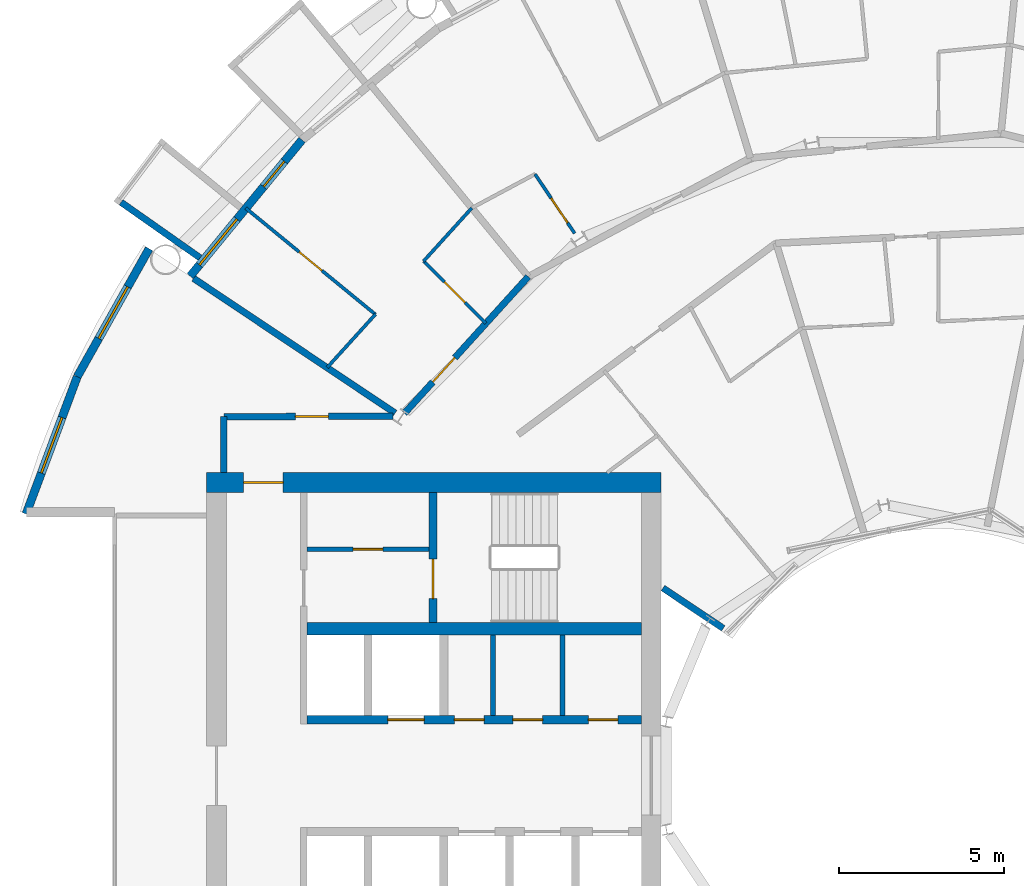
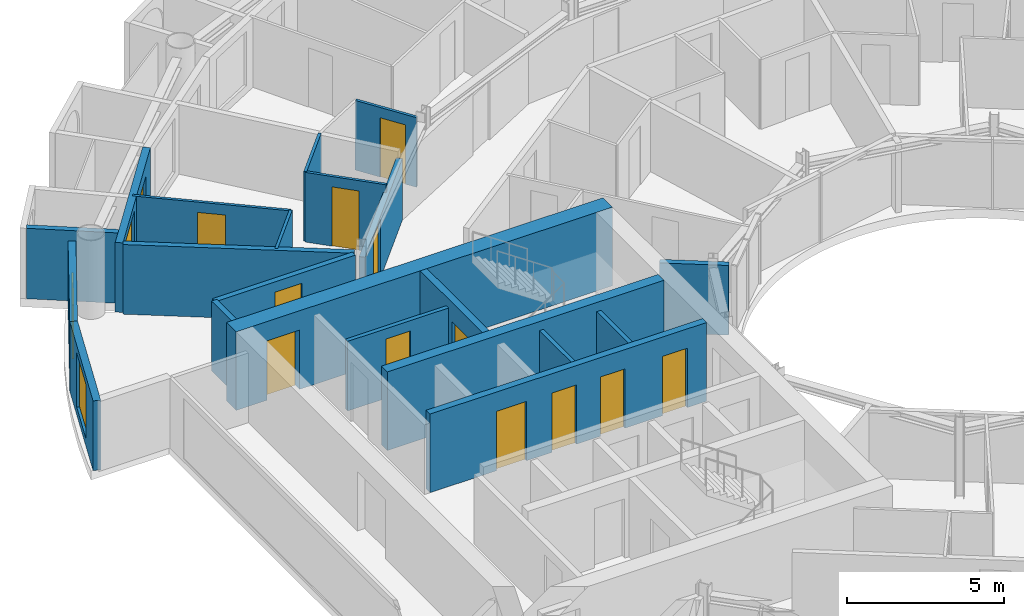
# One storey, part 19 of 27: 21 walls, 13 doors, 3 windows, 16 openings.
"""IFC4 building model written with IfcOpenShell, lengths in metres."""

from ifc_helpers import new_model, si_unit, direction, frame, frame_2d, origin, place, context, subcontext, project, spatial, rectangle, extrude, material, layer, layer_set, type_object, element, fill, save


model = new_model("IFC4")

# Units and contexts
model_context = context("Model", 3, precision=1e-05, world=origin(), true_north=direction((0.0, 1.0)))
body_context = subcontext(model_context, "Body", "Model", "MODEL_VIEW")
ifc_project = project(units=[si_unit("LENGTHUNIT", "METRE"), si_unit("AREAUNIT", "SQUARE_METRE"), si_unit("VOLUMEUNIT", "CUBIC_METRE"), si_unit("PLANEANGLEUNIT", "RADIAN"), si_unit("MASSUNIT", "GRAM", prefix="KILO")], contexts=[model_context])

# Site, building, storey
site_placement = place(None, origin())
site = spatial("IfcSite", under=ifc_project, at=site_placement, CompositionType="ELEMENT")
building_placement = place(site_placement, origin())
building = spatial("IfcBuilding", under=site, at=building_placement, Name="Maasbend Ring Residences", CompositionType="ELEMENT")
storey_placement = place(building_placement, frame((0.0, 0.0, 126.89990234375)))
storey = spatial("IfcBuildingStorey", under=building, at=storey_placement, Name="L36", CompositionType="ELEMENT", Elevation=126.89990234375)

# Wall, openings, doors
ifc_material_1 = material(Name="Concrete C60/75", Category="concrete")
ifc_layer_1 = layer(ifc_material_1, 0.25)
ifc_layer_set_1 = layer_set([ifc_layer_1], Name="Concrete C60/75")
wall_type_1 = type_object("IfcWallType", Name="CORE WALL 250 C60/75", PredefinedType="SHEAR", material=ifc_layer_set_1)
wall_1_placement = place(storey_placement, frame((-19.14990234375, 1.699951171875, 0.0), z_axis=(0.0, 0.0, 1.0), x_axis=(1.0, 0.0, 0.0)))
wall_1 = element("IfcWall", 1, at=wall_1_placement, inside=storey, type_object=wall_type_1, Name="L36 core W wall SPS", PredefinedType="SHEAR", context=body_context, shape_type="SweptSolid", body=[
    extrude(rectangle(XDim=10.14990234375, YDim=0.25, at=frame_2d((5.074951171875, 0.0))), origin(), (0.0, 0.0, 1.0), 3.050048828125),
])
opening_1_placement = place(wall_1_placement, frame((2.449951171875, 0.0, 0.0)))
opening_1 = element("IfcOpeningElement", 2, at=opening_1_placement, cuts=wall_1, Name="Opening LD-W3605", PredefinedType="OPENING", context=body_context, shape_type="SweptSolid", body=[
    extrude(rectangle(XDim=1.10009765625, YDim=2.300048828125, at=frame_2d((0.550048828125, 1.14990234375))), frame((0.0, 0.135009765625, 0.0), z_axis=(0.0, -1.0, 0.0), x_axis=(1.0, 0.0, 0.0)), (0.0, 0.0, 1.0), 0.27001953125),
])
opening_2_placement = place(wall_1_placement, frame((8.53759765625, 0.0, 0.0)))
opening_2 = element("IfcOpeningElement", 3, at=opening_2_placement, cuts=wall_1, Name="Opening D-W3606", PredefinedType="OPENING", context=body_context, shape_type="SweptSolid", body=[
    extrude(rectangle(XDim=0.89990234375, YDim=2.300048828125, at=frame_2d((0.449951171875, 1.14990234375))), frame((0.0, 0.135009765625, 0.0), z_axis=(0.0, -1.0, 0.0), x_axis=(1.0, 0.0, 0.0)), (0.0, 0.0, 1.0), 0.27001953125),
])
opening_3_placement = place(wall_1_placement, frame((6.25, 0.0, 0.0)))
opening_3 = element("IfcOpeningElement", 4, at=opening_3_placement, cuts=wall_1, Name="Opening D-W3607", PredefinedType="OPENING", context=body_context, shape_type="SweptSolid", body=[
    extrude(rectangle(XDim=0.89990234375, YDim=2.300048828125, at=frame_2d((0.449951171875, 1.14990234375))), frame((0.0, 0.135009765625, 0.0), z_axis=(0.0, -1.0, 0.0), x_axis=(1.0, 0.0, 0.0)), (0.0, 0.0, 1.0), 0.27001953125),
])
opening_4_placement = place(wall_1_placement, frame((4.47509765625, 0.0, 0.0)))
opening_4 = element("IfcOpeningElement", 5, at=opening_4_placement, cuts=wall_1, Name="Opening D-W3608", PredefinedType="OPENING", context=body_context, shape_type="SweptSolid", body=[
    extrude(rectangle(XDim=0.89990234375, YDim=2.300048828125, at=frame_2d((0.449951171875, 1.14990234375))), frame((0.0, 0.135009765625, 0.0), z_axis=(0.0, -1.0, 0.0), x_axis=(1.0, 0.0, 0.0)), (0.0, 0.0, 1.0), 0.27001953125),
])
ifc_material_2 = material(Name="Stainless steel 316", Category="steel")
door_type_1 = type_object("IfcDoorType", Name="LANDING DOOR 1100 X 2300 FD60", OperationType="DOUBLE_DOOR_SLIDING", PredefinedType="DOOR", material=ifc_material_2)
door_1_placement = place(opening_1_placement, origin())
door_1 = element("IfcDoor", 6, at=door_1_placement, inside=storey, type_object=door_type_1, Name="Landing door SV-W L36", OperationType="DOUBLE_DOOR_SLIDING", OverallHeight=2.300048828125, OverallWidth=1.10009765625, PredefinedType="DOOR", context=body_context, shape_type="SweptSolid", body=[
    extrude(rectangle(XDim=1.10009765625, YDim=2.300048828125, at=frame_2d((0.550048828125, 1.14990234375))), frame((0.0, 0.02490234375, 0.0), z_axis=(0.0, -1.0, 0.0), x_axis=(1.0, 0.0, 0.0)), (0.0, 0.0, 1.0), 0.050048828125),
])
fill(opening_1, door_1)
ifc_material_3 = material(Name="Steel, powder coated", Category="steel")
door_type_2 = type_object("IfcDoorType", Name="ROOM DOOR 900 X 2300 FD30S", OperationType="NOTDEFINED", PredefinedType="DOOR", material=ifc_material_3)
door_2_placement = place(opening_2_placement, origin())
door_2 = element("IfcDoor", 7, at=door_2_placement, inside=storey, type_object=door_type_2, Name="Room door L36", OperationType="SINGLE_SWING_LEFT", OverallHeight=2.300048828125, OverallWidth=0.89990234375, PredefinedType="DOOR", context=body_context, shape_type="SweptSolid", body=[
    extrude(rectangle(XDim=0.89990234375, YDim=2.300048828125, at=frame_2d((0.449951171875, 1.14990234375))), frame((0.0, 0.02490234375, 0.0), z_axis=(0.0, -1.0, 0.0), x_axis=(1.0, 0.0, 0.0)), (0.0, 0.0, 1.0), 0.050048828125),
])
fill(opening_2, door_2)
door_3_placement = place(opening_3_placement, origin())
door_3 = element("IfcDoor", 8, at=door_3_placement, inside=storey, type_object=door_type_2, Name="Room door L36", OperationType="SINGLE_SWING_LEFT", OverallHeight=2.300048828125, OverallWidth=0.89990234375, PredefinedType="DOOR", context=body_context, shape_type="SweptSolid", body=[
    extrude(rectangle(XDim=0.89990234375, YDim=2.300048828125, at=frame_2d((0.449951171875, 1.14990234375))), frame((0.0, 0.02490234375, 0.0), z_axis=(0.0, -1.0, 0.0), x_axis=(1.0, 0.0, 0.0)), (0.0, 0.0, 1.0), 0.050048828125),
])
fill(opening_3, door_3)
door_4_placement = place(opening_4_placement, origin())
door_4 = element("IfcDoor", 9, at=door_4_placement, inside=storey, type_object=door_type_2, Name="Room door L36", OperationType="SINGLE_SWING_RIGHT", OverallHeight=2.300048828125, OverallWidth=0.89990234375, PredefinedType="DOOR", context=body_context, shape_type="SweptSolid", body=[
    extrude(rectangle(XDim=0.89990234375, YDim=2.300048828125, at=frame_2d((0.449951171875, 1.14990234375))), frame((0.0, 0.02490234375, 0.0), z_axis=(0.0, -1.0, 0.0), x_axis=(1.0, 0.0, 0.0)), (0.0, 0.0, 1.0), 0.050048828125),
])
fill(opening_4, door_4)

# Wall, opening, door
wall_2_placement = place(storey_placement, frame((-15.324951171875, 8.60009765625, 0.0), z_axis=(0.0, 0.0, 1.0), x_axis=(0.0, -1.0, 0.0)))
wall_2 = element("IfcWall", 10, at=wall_2_placement, inside=storey, type_object=wall_type_1, Name="L36 core W wall STES", PredefinedType="SHEAR", context=body_context, shape_type="SweptSolid", body=[
    extrude(rectangle(XDim=3.9501953125, YDim=0.25, at=frame_2d((1.97509765625, 0.0))), origin(), (0.0, 0.0, 1.0), 3.050048828125),
])
opening_5_placement = place(wall_2_placement, frame((2.02490234375, 0.0, 0.0)))
opening_5 = element("IfcOpeningElement", 11, at=opening_5_placement, cuts=wall_2, Name="Opening D-W3611", PredefinedType="OPENING", context=body_context, shape_type="SweptSolid", body=[
    extrude(rectangle(XDim=1.199951171875, YDim=2.300048828125, at=frame_2d((0.60009765625, 1.14990234375))), frame((0.0, 0.135009765625, 0.0), z_axis=(0.0, -1.0, 0.0), x_axis=(1.0, 0.0, 0.0)), (0.0, 0.0, 1.0), 0.27001953125),
])
ifc_material_4 = material(Name="Steel, powder coated", Category="steel")
door_type_3 = type_object("IfcDoorType", Name="STAIR DOOR 1200 X 2300 FD60", OperationType="NOTDEFINED", PredefinedType="DOOR", material=ifc_material_4)
door_5_placement = place(opening_5_placement, origin())
door_5 = element("IfcDoor", 12, at=door_5_placement, inside=storey, type_object=door_type_3, Name="Stair door ST-W L36", OperationType="SINGLE_SWING_LEFT", OverallHeight=2.300048828125, OverallWidth=1.199951171875, PredefinedType="DOOR", context=body_context, shape_type="SweptSolid", body=[
    extrude(rectangle(XDim=1.199951171875, YDim=2.300048828125, at=frame_2d((0.60009765625, 1.14990234375))), frame((0.0, 0.02490234375, 0.0), z_axis=(0.0, -1.0, 0.0), x_axis=(1.0, 0.0, 0.0)), (0.0, 0.0, 1.0), 0.050048828125),
])
fill(opening_5, door_5)

# Wall
ifc_material_5 = material(Name="Concrete C60/75", Category="concrete")
ifc_layer_2 = layer(ifc_material_5, 0.375)
ifc_layer_set_2 = layer_set([ifc_layer_2], Name="Concrete C60/75")
wall_type_2 = type_object("IfcWallType", Name="CORE WALL 375 C60/75", PredefinedType="SHEAR", material=ifc_layer_set_2)
wall_3_placement = place(storey_placement, frame((-9.0, 4.46240234375, 0.0), z_axis=(0.0, 0.0, 1.0), x_axis=(-1.0, 0.0, 0.0)))
element("IfcWall", 13, at=wall_3_placement, inside=storey, type_object=wall_type_2, Name="L36 core W wall BS", PredefinedType="SHEAR", context=body_context, shape_type="SweptSolid", body=[
    extrude(rectangle(XDim=10.14990234375, YDim=0.375, at=frame_2d((5.074951171875, 0.0))), origin(), (0.0, 0.0, 1.0), 3.050048828125),
])

# Wall, opening, door
ifc_material_6 = material(Name="Concrete C60/75", Category="concrete")
ifc_layer_3 = layer(ifc_material_6, 0.60009765625)
ifc_layer_set_3 = layer_set([ifc_layer_3], Name="Concrete C60/75")
wall_type_3 = type_object("IfcWallType", Name="CORE WALL 600 C60/75", PredefinedType="SHEAR", material=ifc_layer_set_3)
wall_4_placement = place(storey_placement, frame((-8.39990234375, 8.89990234375, 0.0), z_axis=(0.0, 0.0, 1.0), x_axis=(-1.0, 0.0, 0.0)))
wall_4 = element("IfcWall", 14, at=wall_4_placement, inside=storey, type_object=wall_type_3, Name="L36 core W wall PS", PredefinedType="SHEAR", context=body_context, shape_type="SweptSolid", body=[
    extrude(rectangle(XDim=13.800048828125, YDim=0.60009765625, at=frame_2d((6.89990234375, 0.0))), origin(), (0.0, 0.0, 1.0), 3.050048828125),
])
opening_6_placement = place(wall_4_placement, frame((11.47509765625, 0.0, 0.0)))
opening_6 = element("IfcOpeningElement", 15, at=opening_6_placement, cuts=wall_4, Name="Opening D-W3615", PredefinedType="OPENING", context=body_context, shape_type="SweptSolid", body=[
    extrude(rectangle(XDim=1.199951171875, YDim=2.300048828125, at=frame_2d((0.60009765625, 1.14990234375))), frame((0.0, 0.31005859375, 0.0), z_axis=(0.0, -1.0, 0.0), x_axis=(1.0, 0.0, 0.0)), (0.0, 0.0, 1.0), 0.6201171875),
])
ifc_material_7 = material(Name="Steel, powder coated", Category="steel")
door_type_4 = type_object("IfcDoorType", Name="CORRIDOR DOOR 1200 X 2300 FD30S", OperationType="NOTDEFINED", PredefinedType="DOOR", material=ifc_material_7)
door_6_placement = place(opening_6_placement, origin())
door_6 = element("IfcDoor", 16, at=door_6_placement, inside=storey, type_object=door_type_4, Name="Corridor door L36", OperationType="SINGLE_SWING_LEFT", OverallHeight=2.300048828125, OverallWidth=1.199951171875, PredefinedType="DOOR", context=body_context, shape_type="SweptSolid", body=[
    extrude(rectangle(XDim=1.199951171875, YDim=2.300048828125, at=frame_2d((0.60009765625, 1.14990234375))), frame((0.0, 0.02490234375, 0.0), z_axis=(0.0, -1.0, 0.0), x_axis=(1.0, 0.0, 0.0)), (0.0, 0.0, 1.0), 0.050048828125),
])
fill(opening_6, door_6)

ifc_material_8 = material(Name="Concrete C30/37", Category="concrete")
ifc_layer_4 = layer(ifc_material_8, 0.199951171875)
ifc_layer_set_4 = layer_set([ifc_layer_4], Name="Concrete C30/37")
wall_type_4 = type_object("IfcWallType", Name="CORRIDOR WALL 200 CONCRETE", PredefinedType="PARTITIONING", material=ifc_layer_set_4)
wall_5_placement = place(storey_placement, frame((-21.675048828125, 10.89990234375, 0.0), z_axis=(0.0, 0.0, 1.0), x_axis=(0.999997173357, 0.002377662213, 0.0)))
wall_5 = element("IfcWall", 17, at=wall_5_placement, inside=storey, type_object=wall_type_4, Name="U-L36-w098", PredefinedType="PARTITIONING", context=body_context, shape_type="SweptSolid", body=[
    extrude(rectangle(XDim=5.134033203125, YDim=0.199951171875, at=frame_2d((2.56689453125, 0.0))), origin(), (0.0, 0.0, 1.0), 2.7001953125),
])
opening_7_placement = place(wall_5_placement, frame((2.1708984375, 0.0, 0.0)))
opening_7 = element("IfcOpeningElement", 18, at=opening_7_placement, cuts=wall_5, Name="Opening D-3664", PredefinedType="OPENING", context=body_context, shape_type="SweptSolid", body=[
    extrude(rectangle(XDim=1.0, YDim=2.300048828125, at=frame_2d((0.5, 1.14990234375))), frame((0.0, 0.10986328125, 0.0), z_axis=(0.0, -1.0, 0.0), x_axis=(1.0, 0.0, 0.0)), (0.0, 0.0, 1.0), 0.219970703125),
])
ifc_material_9 = material(Name="Timber, painted", Category="wood")
door_type_5 = type_object("IfcDoorType", Name="ROOM DOOR 1000 X 2300", OperationType="NOTDEFINED", PredefinedType="DOOR", material=ifc_material_9)
door_7_placement = place(opening_7_placement, origin())
door_7 = element("IfcDoor", 19, at=door_7_placement, inside=storey, type_object=door_type_5, Name="D-3664", OperationType="SINGLE_SWING_RIGHT", OverallHeight=2.300048828125, OverallWidth=1.0, PredefinedType="DOOR", context=body_context, shape_type="SweptSolid", body=[
    extrude(rectangle(XDim=1.0, YDim=2.300048828125, at=frame_2d((0.5, 1.14990234375))), frame((0.0, 0.02490234375, 0.0), z_axis=(0.0, -1.0, 0.0), x_axis=(1.0, 0.0, 0.0)), (0.0, 0.0, 1.0), 0.050048828125),
])
fill(opening_7, door_7)

wall_6_placement = place(storey_placement, frame((-16.19189453125, 11.00390625, 0.0), z_axis=(0.0, 0.0, 1.0), x_axis=(0.671481997275, 0.741020868354, 0.0)))
wall_6 = element("IfcWall", 20, at=wall_6_placement, inside=storey, type_object=wall_type_4, Name="U-L36-w111", PredefinedType="PARTITIONING", context=body_context, shape_type="SweptSolid", body=[
    extrude(rectangle(XDim=5.59619140625, YDim=0.199951171875, at=frame_2d((2.798095703125, 0.0))), origin(), (0.0, 0.0, 1.0), 2.39013671875),
])
opening_8_placement = place(wall_6_placement, frame((1.277099609375, 0.0, 0.0)))
opening_8 = element("IfcOpeningElement", 21, at=opening_8_placement, cuts=wall_6, Name="Opening D-3618", PredefinedType="OPENING", context=body_context, shape_type="SweptSolid", body=[
    extrude(rectangle(XDim=1.0, YDim=2.300048828125, at=frame_2d((0.5, 1.14990234375))), frame((0.0, 0.10986328125, 0.0), z_axis=(0.0, -1.0, 0.0), x_axis=(1.0, 0.0, 0.0)), (0.0, 0.0, 1.0), 0.219970703125),
])
ifc_material_10 = material(Name="Timber, fire-rated, painted", Category="wood")
door_type_6 = type_object("IfcDoorType", Name="FLAT ENTRANCE DOOR 1000 X 2300 FIRE-RATED", OperationType="NOTDEFINED", PredefinedType="DOOR", material=ifc_material_10)
door_8_placement = place(opening_8_placement, origin())
door_8 = element("IfcDoor", 22, at=door_8_placement, inside=storey, type_object=door_type_6, Name="D-3618", OperationType="SINGLE_SWING_LEFT", OverallHeight=2.300048828125, OverallWidth=1.0, PredefinedType="DOOR", context=body_context, shape_type="SweptSolid", body=[
    extrude(rectangle(XDim=1.0, YDim=2.300048828125, at=frame_2d((0.5, 1.14990234375))), frame((0.0, 0.02490234375, 0.0), z_axis=(0.0, -1.0, 0.0), x_axis=(1.0, 0.0, 0.0)), (0.0, 0.0, 1.0), 0.050048828125),
])
fill(opening_8, door_8)

# Walls
wall_7_placement = place(storey_placement, frame((-21.675048828125, 9.199951171875, 0.0), z_axis=(0.0, 0.0, 1.0), x_axis=(0.0, 1.0, 0.0)))
element("IfcWall", 23, at=wall_7_placement, inside=storey, type_object=wall_type_4, Name="U-L36-w118", PredefinedType="PARTITIONING", context=body_context, shape_type="SweptSolid", body=[
    extrude(rectangle(XDim=1.699951171875, YDim=0.199951171875, at=frame_2d((0.85009765625, 0.0))), origin(), (0.0, 0.0, 1.0), 2.7001953125),
])
ifc_material_11 = material(Name="Pale anodised aluminium panel", Category="aluminium")
ifc_layer_5 = layer(ifc_material_11, 0.199951171875)
ifc_layer_set_5 = layer_set([ifc_layer_5], Name="EW-BOX")
wall_type_5 = type_object("IfcWallType", Name="EW-BOX", PredefinedType="SOLIDWALL", material=ifc_layer_set_5)
wall_8_placement = place(storey_placement, frame((-22.402099609375, 15.72607421875, -0.02978515625), z_axis=(0.0, 0.0, 1.0), x_axis=(-0.818275399393, 0.574826383135, 0.0)))
element("IfcWall", 24, at=wall_8_placement, inside=storey, type_object=wall_type_5, Name="Box side wall N20 right", PredefinedType="SOLIDWALL", context=body_context, shape_type="SweptSolid", body=[
    extrude(rectangle(XDim=2.92919921875, YDim=0.199951171875, at=frame_2d((1.464599609375, 0.0))), origin(), (0.0, 0.0, 1.0), 2.72998046875),
])

# Wall, openings, door, window
ifc_material_12 = material(Name="Aluminium clad insulated panel", Category="aluminium")
ifc_layer_6 = layer(ifc_material_12, 0.25)
ifc_layer_set_6 = layer_set([ifc_layer_6], Name="EW-GL")
wall_type_6 = type_object("IfcWallType", Name="EW-GL", PredefinedType="SOLIDWALL", material=ifc_layer_set_6)
wall_9_placement = place(storey_placement, frame((-19.303955078125, 19.303955078125, 0.0), z_axis=(0.0, 0.0, 1.0), x_axis=(-0.634382322723, -0.773019449054, 0.0)))
wall_9 = element("IfcWall", 25, at=wall_9_placement, inside=storey, type_object=wall_type_6, Name="External wall N10", PredefinedType="SOLIDWALL", context=body_context, shape_type="SweptSolid", body=[
    extrude(rectangle(XDim=5.351806640625, YDim=0.25, at=frame_2d((2.67578125, 0.0))), origin(), (0.0, 0.0, 1.0), 2.7001953125),
])
opening_9_placement = place(wall_9_placement, frame((0.841064453125, 0.0, 0.0)))
opening_9 = element("IfcOpeningElement", 26, at=opening_9_placement, cuts=wall_9, Name="Opening D-LG", PredefinedType="OPENING", context=body_context, shape_type="SweptSolid", body=[
    extrude(rectangle(XDim=1.0, YDim=2.199951171875, at=frame_2d((0.5, 1.10009765625))), frame((0.0, 0.135009765625, 0.0), z_axis=(0.0, -1.0, 0.0), x_axis=(1.0, 0.0, 0.0)), (0.0, 0.0, 1.0), 0.27001953125),
])
opening_10_placement = place(wall_9_placement, frame((3.110595703125, 0.0, 0.300048828125)))
opening_10 = element("IfcOpeningElement", 27, at=opening_10_placement, cuts=wall_9, Name="Opening W-BX", PredefinedType="OPENING", context=body_context, shape_type="SweptSolid", body=[
    extrude(rectangle(XDim=1.800048828125, YDim=2.10009765625, at=frame_2d((0.89990234375, 1.050048828125))), frame((0.0, 0.135009765625, 0.0), z_axis=(0.0, -1.0, 0.0), x_axis=(1.0, 0.0, 0.0)), (0.0, 0.0, 1.0), 0.27001953125),
])
ifc_material_13 = material(Name="Aluminium and clear glass", Category="aluminium")
door_type_7 = type_object("IfcDoorType", Name="D-LG", OperationType="SINGLE_SWING_LEFT", PredefinedType="DOOR", material=ifc_material_13)
door_9_placement = place(opening_9_placement, origin())
door_9 = element("IfcDoor", 28, at=door_9_placement, inside=storey, type_object=door_type_7, Name="Loggia door N19", OperationType="SINGLE_SWING_LEFT", OverallHeight=2.199951171875, OverallWidth=1.0, PredefinedType="DOOR", context=body_context, shape_type="SweptSolid", body=[
    extrude(rectangle(XDim=1.0, YDim=2.199951171875, at=frame_2d((0.5, 1.10009765625))), frame((0.0, 0.02490234375, 0.0), z_axis=(0.0, -1.0, 0.0), x_axis=(1.0, 0.0, 0.0)), (0.0, 0.0, 1.0), 0.050048828125),
])
fill(opening_9, door_9)
ifc_material_14 = material(Name="Aluminium and clear glass", Category="aluminium")
window_type = type_object("IfcWindowType", Name="W-BX", PartitioningType="DOUBLE_PANEL_VERTICAL", PredefinedType="WINDOW", material=ifc_material_14)
window_1_placement = place(opening_10_placement, origin())
window_1 = element("IfcWindow", 29, at=window_1_placement, inside=storey, type_object=window_type, Name="Window N20 room to box", OverallHeight=2.10009765625, OverallWidth=1.800048828125, PartitioningType="SINGLE_PANEL", PredefinedType="WINDOW", context=body_context, shape_type="SweptSolid", body=[
    extrude(rectangle(XDim=1.800048828125, YDim=2.10009765625, at=frame_2d((0.89990234375, 1.050048828125))), frame((0.0, 0.030029296875, 0.0), z_axis=(0.0, -1.0, 0.0), x_axis=(1.0, 0.0, 0.0)), (0.0, 0.0, 1.0), 0.06005859375),
])
fill(opening_10, window_1)

# Wall, opening, window
ifc_material_15 = material(Name="Aluminium clad insulated panel", Category="aluminium")
ifc_layer_7 = layer(ifc_material_15, 0.25)
ifc_layer_set_7 = layer_set([ifc_layer_7], Name="EW-HORN")
wall_type_7 = type_object("IfcWallType", Name="EW-HORN", PredefinedType="SOLIDWALL", material=ifc_layer_set_7)
wall_10_placement = place(storey_placement, frame((-23.946044921875, 16.0, 0.0), z_axis=(0.0, 0.0, 1.0), x_axis=(-0.489696356642, -0.871893042919, 0.0)))
wall_10 = element("IfcWall", 30, at=wall_10_placement, inside=storey, type_object=wall_type_7, Name="Horn wall 4.1", PredefinedType="SOLIDWALL", context=body_context, shape_type="SweptSolid", body=[
    extrude(rectangle(XDim=4.45361328125, YDim=0.25, at=frame_2d((2.226806640625, 0.0))), origin(), (0.0, 0.0, 1.0), 2.7001953125),
])
opening_11_placement = place(wall_10_placement, frame((1.32666015625, 0.0, 0.300048828125)))
opening_11 = element("IfcOpeningElement", 31, at=opening_11_placement, cuts=wall_10, Name="Opening W-BX", PredefinedType="OPENING", context=body_context, shape_type="SweptSolid", body=[
    extrude(rectangle(XDim=1.800048828125, YDim=2.10009765625, at=frame_2d((0.89990234375, 1.050048828125))), frame((0.0, 0.135009765625, 0.0), z_axis=(0.0, -1.0, 0.0), x_axis=(1.0, 0.0, 0.0)), (0.0, 0.0, 1.0), 0.27001953125),
])
window_2_placement = place(opening_11_placement, origin())
window_2 = element("IfcWindow", 32, at=window_2_placement, inside=storey, type_object=window_type, Name="Horn window 4.1", OverallHeight=2.10009765625, OverallWidth=1.800048828125, PartitioningType="SINGLE_PANEL", PredefinedType="WINDOW", context=body_context, shape_type="SweptSolid", body=[
    extrude(rectangle(XDim=1.800048828125, YDim=2.10009765625, at=frame_2d((0.89990234375, 1.050048828125))), frame((0.0, 0.030029296875, 0.0), z_axis=(0.0, -1.0, 0.0), x_axis=(1.0, 0.0, 0.0)), (0.0, 0.0, 1.0), 0.06005859375),
])
fill(opening_11, window_2)

wall_11_placement = place(storey_placement, frame((-26.126953125, 12.116943359375, 0.0), z_axis=(0.0, 0.0, 1.0), x_axis=(-0.349247811493, -0.937030397675, 0.0)))
wall_11 = element("IfcWall", 33, at=wall_11_placement, inside=storey, type_object=wall_type_7, Name="Horn wall 4.2", PredefinedType="SOLIDWALL", context=body_context, shape_type="SweptSolid", body=[
    extrude(rectangle(XDim=4.4521484375, YDim=0.25, at=frame_2d((2.22607421875, 0.0))), origin(), (0.0, 0.0, 1.0), 2.7001953125),
])
opening_12_placement = place(wall_11_placement, frame((1.32666015625, 0.0, 0.300048828125)))
opening_12 = element("IfcOpeningElement", 34, at=opening_12_placement, cuts=wall_11, Name="Opening W-BX", PredefinedType="OPENING", context=body_context, shape_type="SweptSolid", body=[
    extrude(rectangle(XDim=1.800048828125, YDim=2.10009765625, at=frame_2d((0.89990234375, 1.050048828125))), frame((0.0, 0.135009765625, 0.0), z_axis=(0.0, -1.0, 0.0), x_axis=(1.0, 0.0, 0.0)), (0.0, 0.0, 1.0), 0.27001953125),
])
window_3_placement = place(opening_12_placement, origin())
window_3 = element("IfcWindow", 35, at=window_3_placement, inside=storey, type_object=window_type, Name="Horn window 4.2", OverallHeight=2.10009765625, OverallWidth=1.800048828125, PartitioningType="SINGLE_PANEL", PredefinedType="WINDOW", context=body_context, shape_type="SweptSolid", body=[
    extrude(rectangle(XDim=1.800048828125, YDim=2.10009765625, at=frame_2d((0.89990234375, 1.050048828125))), frame((0.0, 0.030029296875, 0.0), z_axis=(0.0, -1.0, 0.0), x_axis=(1.0, 0.0, 0.0)), (0.0, 0.0, 1.0), 0.06005859375),
])
fill(opening_12, window_3)

# Wall, opening, door
ifc_material_16 = material(Name="Gypsum board on steel studs", Category="steel")
ifc_layer_8 = layer(ifc_material_16, 0.10009765625)
ifc_layer_set_8 = layer_set([ifc_layer_8], Name="PARTITION 100 GYPSUM")
wall_type_8 = type_object("IfcWallType", Name="PARTITION 100 GYPSUM", PredefinedType="PARTITIONING", material=ifc_layer_set_8)
wall_12_placement = place(storey_placement, frame((-21.011962890625, 17.23291015625, 0.0), z_axis=(0.0, 0.0, 1.0), x_axis=(0.77326214499, -0.634086472908, 0.0)))
wall_12 = element("IfcWall", 36, at=wall_12_placement, inside=storey, type_object=wall_type_8, Name="U-L36-w040", PredefinedType="PARTITIONING", context=body_context, shape_type="SweptSolid", body=[
    extrude(rectangle(XDim=5.0888671875, YDim=0.10009765625, at=frame_2d((2.54443359375, 0.0))), origin(), (0.0, 0.0, 1.0), 2.7001953125),
])
opening_13_placement = place(wall_12_placement, frame((2.093994140625, 0.0, 0.0)))
opening_13 = element("IfcOpeningElement", 37, at=opening_13_placement, cuts=wall_12, Name="Opening D-3620", PredefinedType="OPENING", context=body_context, shape_type="SweptSolid", body=[
    extrude(rectangle(XDim=0.89990234375, YDim=2.300048828125, at=frame_2d((0.449951171875, 1.14990234375))), frame((0.0, 0.06005859375, 0.0), z_axis=(0.0, -1.0, 0.0), x_axis=(1.0, 0.0, 0.0)), (0.0, 0.0, 1.0), 0.1201171875),
])
ifc_material_17 = material(Name="Timber, painted", Category="wood")
door_type_8 = type_object("IfcDoorType", Name="INTERNAL DOOR 900 X 2300", OperationType="NOTDEFINED", PredefinedType="DOOR", material=ifc_material_17)
door_10_placement = place(opening_13_placement, origin())
door_10 = element("IfcDoor", 38, at=door_10_placement, inside=storey, type_object=door_type_8, Name="D-3620", OperationType="SINGLE_SWING_RIGHT", OverallHeight=2.300048828125, OverallWidth=0.89990234375, PredefinedType="DOOR", context=body_context, shape_type="SweptSolid", body=[
    extrude(rectangle(XDim=0.89990234375, YDim=2.300048828125, at=frame_2d((0.449951171875, 1.14990234375))), frame((0.0, 0.02490234375, 0.0), z_axis=(0.0, -1.0, 0.0), x_axis=(1.0, 0.0, 0.0)), (0.0, 0.0, 1.0), 0.050048828125),
])
fill(opening_13, door_10)

wall_13_placement = place(storey_placement, frame((-15.612060546875, 15.6220703125, 0.0), z_axis=(0.0, 0.0, 1.0), x_axis=(0.706741540154, -0.707471833659, 0.0)))
wall_13 = element("IfcWall", 39, at=wall_13_placement, inside=storey, type_object=wall_type_8, Name="U-L36-w045", PredefinedType="PARTITIONING", context=body_context, shape_type="SweptSolid", body=[
    extrude(rectangle(XDim=2.67431640625, YDim=0.10009765625, at=frame_2d((1.337158203125, 0.0))), origin(), (0.0, 0.0, 1.0), 2.7001953125),
])
opening_14_placement = place(wall_13_placement, frame((0.886962890625, 0.0, 0.0)))
opening_14 = element("IfcOpeningElement", 40, at=opening_14_placement, cuts=wall_13, Name="Opening D-3619", PredefinedType="OPENING", context=body_context, shape_type="SweptSolid", body=[
    extrude(rectangle(XDim=0.89990234375, YDim=2.300048828125, at=frame_2d((0.449951171875, 1.14990234375))), frame((0.0, 0.06005859375, 0.0), z_axis=(0.0, -1.0, 0.0), x_axis=(1.0, 0.0, 0.0)), (0.0, 0.0, 1.0), 0.1201171875),
])
door_11_placement = place(opening_14_placement, origin())
door_11 = element("IfcDoor", 41, at=door_11_placement, inside=storey, type_object=door_type_8, Name="D-3619", OperationType="SINGLE_SWING_RIGHT", OverallHeight=2.300048828125, OverallWidth=0.89990234375, PredefinedType="DOOR", context=body_context, shape_type="SweptSolid", body=[
    extrude(rectangle(XDim=0.89990234375, YDim=2.300048828125, at=frame_2d((0.449951171875, 1.14990234375))), frame((0.0, 0.02490234375, 0.0), z_axis=(0.0, -1.0, 0.0), x_axis=(1.0, 0.0, 0.0)), (0.0, 0.0, 1.0), 0.050048828125),
])
fill(opening_14, door_11)

wall_14_placement = place(storey_placement, frame((-12.22900390625, 18.263916015625, 0.0), z_axis=(0.0, 0.0, 1.0), x_axis=(0.556469477731, -0.830868052313, 0.0)))
wall_14 = element("IfcWall", 42, at=wall_14_placement, inside=storey, type_object=wall_type_8, Name="U-L36-w048", PredefinedType="PARTITIONING", context=body_context, shape_type="SweptSolid", body=[
    extrude(rectangle(XDim=2.163818359375, YDim=0.10009765625, at=frame_2d((1.08203125, 0.0))), origin(), (0.0, 0.0, 1.0), 2.7001953125),
])
opening_15_placement = place(wall_14_placement, frame((0.881103515625, 0.0, 0.0)))
opening_15 = element("IfcOpeningElement", 43, at=opening_15_placement, cuts=wall_14, Name="Opening D-3615", PredefinedType="OPENING", context=body_context, shape_type="SweptSolid", body=[
    extrude(rectangle(XDim=0.89990234375, YDim=2.300048828125, at=frame_2d((0.449951171875, 1.14990234375))), frame((0.0, 0.06005859375, 0.0), z_axis=(0.0, -1.0, 0.0), x_axis=(1.0, 0.0, 0.0)), (0.0, 0.0, 1.0), 0.1201171875),
])
door_12_placement = place(opening_15_placement, origin())
door_12 = element("IfcDoor", 44, at=door_12_placement, inside=storey, type_object=door_type_8, Name="D-3615", OperationType="SINGLE_SWING_RIGHT", OverallHeight=2.300048828125, OverallWidth=0.89990234375, PredefinedType="DOOR", context=body_context, shape_type="SweptSolid", body=[
    extrude(rectangle(XDim=0.89990234375, YDim=2.300048828125, at=frame_2d((0.449951171875, 1.14990234375))), frame((0.0, 0.02490234375, 0.0), z_axis=(0.0, -1.0, 0.0), x_axis=(1.0, 0.0, 0.0)), (0.0, 0.0, 1.0), 0.050048828125),
])
fill(opening_15, door_12)

# Walls
for number, where, z_axis, x_axis, name in (
    (45, (-18.5380859375, 12.39404296875, 0.0), (0.0, 0.0, 1.0), (0.67169789574, 0.740825172937, 0.0), "U-L36-w123"),
    (46, (-15.613037109375, 15.62109375, 0.0), (0.0, 0.0, 1.0), (0.67169789574, 0.740825172937, 0.0), "U-L36-w124"),
):
    element("IfcWall", number, at=place(storey_placement, frame(where, z_axis=z_axis, x_axis=x_axis)), inside=storey, type_object=wall_type_8, Name=name, PredefinedType="PARTITIONING", context=body_context, shape_type="SweptSolid", body=[
        extrude(rectangle(XDim=2.1826171875, YDim=0.10009765625, at=frame_2d((1.09130859375, 0.0))), origin(), (0.0, 0.0, 1.0), 2.7001953125),
    ])
ifc_material_18 = material(Name="Gypsum board on steel studs", Category="steel")
ifc_layer_9 = layer(ifc_material_18, 0.14990234375)
ifc_layer_set_9 = layer_set([ifc_layer_9], Name="PARTITION 150 EI 60")
wall_type_9 = type_object("IfcWallType", Name="PARTITION 150 EI 60", PredefinedType="PARTITIONING", material=ifc_layer_set_9)
for number, where, z_axis, x_axis, name in (
    (47, (-11.39990234375, 1.824951171875, 0.0), (0.0, 0.0, 1.0), (0.0, 1.0, 0.0), "L36 core W wall PRS1140"),
    (48, (-13.5, 1.824951171875, 0.0), (0.0, 0.0, 1.0), (0.0, 1.0, 0.0), "L36 core W wall PRS1350"),
):
    element("IfcWall", number, at=place(storey_placement, frame(where, z_axis=z_axis, x_axis=x_axis)), inside=storey, type_object=wall_type_9, Name=name, PredefinedType="PARTITIONING", context=body_context, shape_type="SweptSolid", body=[
        extrude(rectangle(XDim=2.449951171875, YDim=0.14990234375, at=frame_2d((1.22509765625, 0.0))), origin(), (0.0, 0.0, 1.0), 2.7001953125),
    ])

# Wall, opening, door
wall_15_placement = place(storey_placement, frame((-15.449951171875, 6.875, 0.0), z_axis=(0.0, 0.0, 1.0), x_axis=(-1.0, 0.0, 0.0)))
wall_15 = element("IfcWall", 49, at=wall_15_placement, inside=storey, type_object=wall_type_9, Name="L36 core W wall RHS", PredefinedType="PARTITIONING", context=body_context, shape_type="SweptSolid", body=[
    extrude(rectangle(XDim=3.699951171875, YDim=0.14990234375, at=frame_2d((1.85009765625, 0.0))), origin(), (0.0, 0.0, 1.0), 2.7001953125),
])
opening_16_placement = place(wall_15_placement, frame((1.39990234375, 0.0, 0.0)))
opening_16 = element("IfcOpeningElement", 50, at=opening_16_placement, cuts=wall_15, Name="Opening D-W3609", PredefinedType="OPENING", context=body_context, shape_type="SweptSolid", body=[
    extrude(rectangle(XDim=0.89990234375, YDim=2.300048828125, at=frame_2d((0.449951171875, 1.14990234375))), frame((0.0, 0.0849609375, 0.0), z_axis=(0.0, -1.0, 0.0), x_axis=(1.0, 0.0, 0.0)), (0.0, 0.0, 1.0), 0.169921875),
])
ifc_material_19 = material(Name="Steel, powder coated", Category="steel")
door_type_9 = type_object("IfcDoorType", Name="RISER DOOR 900 X 2300 FD60", OperationType="NOTDEFINED", PredefinedType="DOOR", material=ifc_material_19)
door_13_placement = place(opening_16_placement, origin())
door_13 = element("IfcDoor", 51, at=door_13_placement, inside=storey, type_object=door_type_9, Name="Riser door L36", OperationType="SINGLE_SWING_LEFT", OverallHeight=2.300048828125, OverallWidth=0.89990234375, PredefinedType="DOOR", context=body_context, shape_type="SweptSolid", body=[
    extrude(rectangle(XDim=0.89990234375, YDim=2.300048828125, at=frame_2d((0.449951171875, 1.14990234375))), frame((0.0, 0.02490234375, 0.0), z_axis=(0.0, -1.0, 0.0), x_axis=(1.0, 0.0, 0.0)), (0.0, 0.0, 1.0), 0.050048828125),
])
fill(opening_16, door_13)

# Walls
ifc_material_20 = material(Name="Concrete C30/37", Category="concrete")
ifc_layer_10 = layer(ifc_material_20, 0.199951171875)
ifc_layer_set_10 = layer_set([ifc_layer_10], Name="Concrete C30/37")
wall_type_10 = type_object("IfcWallType", Name="PARTY WALL 200 CONCRETE", PredefinedType="PARTITIONING", material=ifc_layer_set_10)
wall_16_placement = place(storey_placement, frame((-22.594970703125, 15.097900390625, 0.0), z_axis=(0.0, 0.0, 1.0), x_axis=(0.831406593008, -0.555664536482, 0.0)))
element("IfcWall", 52, at=wall_16_placement, inside=storey, type_object=wall_type_10, Name="U-L36-w039", PredefinedType="PARTITIONING", context=body_context, shape_type="SweptSolid", body=[
    extrude(rectangle(XDim=7.3583984375, YDim=0.199951171875, at=frame_2d((3.67919921875, 0.0))), origin(), (0.0, 0.0, 1.0), 2.7001953125),
])
wall_17_placement = place(storey_placement, frame((-6.512939453125, 4.471923828125, 0.0), z_axis=(0.0, 0.0, 1.0), x_axis=(-0.831333375071, 0.555774072347, 0.0)))
element("IfcWall", 53, at=wall_17_placement, inside=storey, type_object=wall_type_10, Name="U-L36-w096", PredefinedType="PARTITIONING", context=body_context, shape_type="SweptSolid", body=[
    extrude(rectangle(XDim=2.20263671875, YDim=0.199951171875, at=frame_2d((1.101318359375, 0.0))), origin(), (0.0, 0.0, 1.0), 2.7001953125),
])

save(model, "model.ifc")
